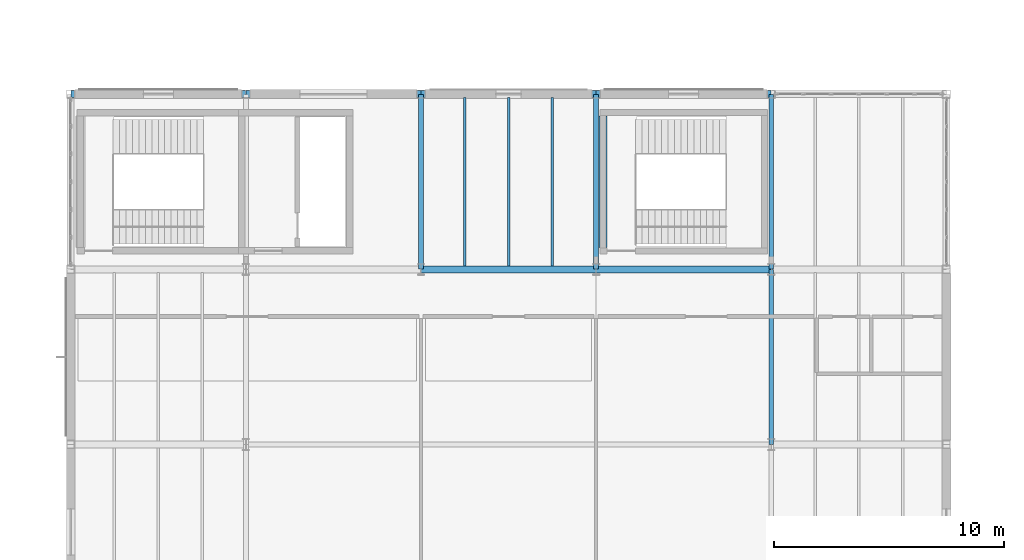
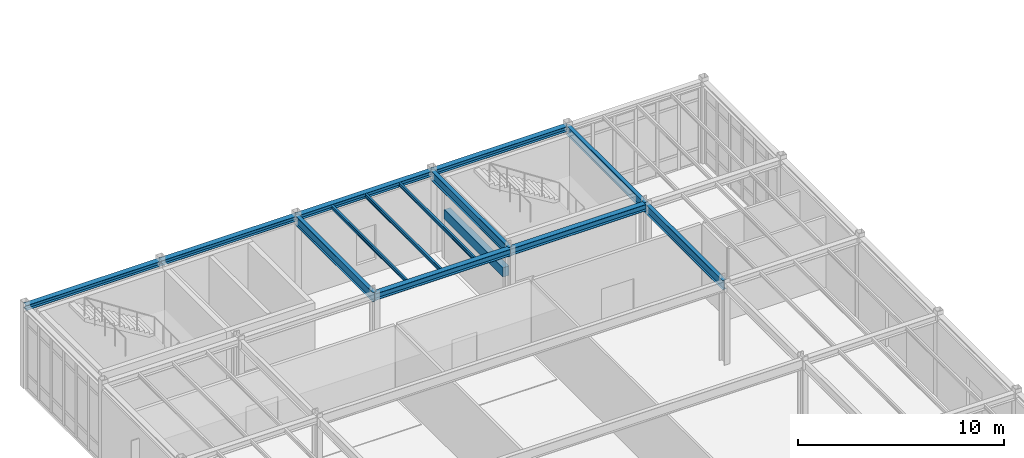
# One storey, part 53 of 109: 14 beams.
"""IFC4 building model written with IfcOpenShell, lengths in metres."""

import ifcopenshell
import ifcopenshell.guid

model = None  # the IFC model being written
_history = None  # IfcOwnerHistory: only IFC2X3 demands one
_inside = {}  # id of a spatial element -> (the spatial element, [elements in it])
_under = {}  # id of a project, library or spatial element -> (it, [spatial elements below it])
_declared = {}  # id of a project -> (the project, [libraries it declares])
_typed = {}  # id of a type object -> (the type object, [elements of that type])
_made_of = {}  # id of a material, layer set ... -> (it, [elements and type objects made of it])


def new_model(schema):
    """Start an empty IFC model of exactly this schema.

    Asked for "IFC4X3", IfcOpenShell would pick the latest addendum, in which some entities
    have other attributes; the version numbers below select the first issue.
    IFC2X3 requires an IfcOwnerHistory on every rooted entity: one is made here for all.
    """
    global model, _history
    if schema == "IFC4X3":
        model = ifcopenshell.file(schema_version=(4, 3, 0, 0))
    else:
        model = ifcopenshell.file(schema=schema)
    _inside.clear()
    _under.clear()
    _declared.clear()
    _typed.clear()
    _made_of.clear()
    _history = None
    if model.schema == "IFC2X3":
        org = make("IfcOrganization", Name="unknown")
        user = make(
            "IfcPersonAndOrganization",
            ThePerson=make("IfcPerson", FamilyName="unknown"),
            TheOrganization=org,
        )
        app = make(
            "IfcApplication",
            ApplicationDeveloper=org,
            Version="unknown",
            ApplicationFullName="unknown",
            ApplicationIdentifier="unknown",
        )
        _history = make(
            "IfcOwnerHistory",
            OwningUser=user,
            OwningApplication=app,
            ChangeAction="ADDED",
            CreationDate=0,
        )
    return model


def make(cls, **values):
    """One entity of the class cls with the attributes given. An attribute that is None is left unset."""
    return model.create_entity(
        cls, **{name: value for name, value in values.items() if value is not None}
    )


def rooted(cls, **values):
    """An entity with a GlobalId (a new one), such as an element, a storey or a relation."""
    return make(cls, GlobalId=ifcopenshell.guid.new(), OwnerHistory=_history, **values)


def si_unit(unit_type, name, prefix=None):
    """IfcSIUnit, for example si_unit("LENGTHUNIT", "METRE", prefix="MILLI")."""
    return make("IfcSIUnit", UnitType=unit_type, Prefix=prefix, Name=name)


def assignment(units):
    """IfcUnitAssignment: the units of a project."""
    return None if units is None else make("IfcUnitAssignment", Units=units)


def point(xyz):
    """IfcCartesianPoint."""
    return None if xyz is None else make("IfcCartesianPoint", Coordinates=xyz)


def direction(xyz):
    """IfcDirection."""
    return None if xyz is None else make("IfcDirection", DirectionRatios=xyz)


def frame(location, z_axis=None, x_axis=None):
    """IfcAxis2Placement3D, a coordinate frame: its origin and axes. An axis left out is left unset."""
    return make(
        "IfcAxis2Placement3D",
        Location=point(location),
        Axis=direction(z_axis),
        RefDirection=direction(x_axis),
    )


def frame_2d(location, x_axis=None):
    """IfcAxis2Placement2D, a coordinate frame in the plane: its origin and x axis."""
    return make(
        "IfcAxis2Placement2D", Location=point(location), RefDirection=direction(x_axis)
    )


def origin():
    """The frame at (0, 0, 0) with its axes left unset."""
    return frame((0.0, 0.0, 0.0))


def origin_2d():
    """The frame at (0, 0) in the plane with its x axis left unset."""
    return frame_2d((0.0, 0.0))


def place(relative_to, where):
    """IfcLocalPlacement: puts the frame where relative to a parent placement (None: the world)."""
    return make(
        "IfcLocalPlacement", PlacementRelTo=relative_to, RelativePlacement=where
    )


def context(
    kind, dimensions, precision=None, world=None, true_north=None, identifier=None
):
    """IfcGeometricRepresentationContext, for example the 3D "Model" context."""
    return make(
        "IfcGeometricRepresentationContext",
        ContextIdentifier=identifier,
        ContextType=kind,
        CoordinateSpaceDimension=dimensions,
        Precision=precision,
        WorldCoordinateSystem=world,
        TrueNorth=true_north,
    )


def subcontext(parent, identifier, kind, view, scale=None):
    """IfcGeometricRepresentationSubContext, for example "Body" below "Model"."""
    return make(
        "IfcGeometricRepresentationSubContext",
        ContextIdentifier=identifier,
        ContextType=kind,
        ParentContext=parent,
        TargetScale=scale,
        TargetView=view,
    )


def project(units=None, contexts=None):
    """IfcProject with its units and contexts."""
    return rooted(
        "IfcProject",
        Name="project",
        RepresentationContexts=contexts,
        UnitsInContext=assignment(units),
    )


def spatial(cls, under=None, at=None, **own):
    """A site, building, storey or space (cls), placed at a placement, below another one or the project."""
    s = rooted(cls, ObjectPlacement=at, **own)
    if under is not None:
        _under.setdefault(under.id(), (under, []))[1].append(s)
    return s


def profile(cls, at=None, kind="AREA", **sizes):
    """A parametric profile (cls). Its sizes go by their IFC names, for example OverallWidth=200.0."""
    return make(cls, ProfileType=kind, Position=at, **sizes)


def rectangle(**sizes):
    """IfcRectangleProfileDef."""
    return profile("IfcRectangleProfileDef", **sizes)


def i_section(**sizes):
    """IfcIShapeProfileDef."""
    return profile("IfcIShapeProfileDef", **sizes)


def extrude(swept, where, along, depth):
    """IfcExtrudedAreaSolid: the profile swept, set in the frame where, extruded along a direction by depth."""
    return make(
        "IfcExtrudedAreaSolid",
        SweptArea=swept,
        Position=where,
        ExtrudedDirection=direction(along),
        Depth=depth,
    )


def shape(context_of_items, identifier, shape_type, items):
    """IfcShapeRepresentation: the items that make up one representation, for example the "Body"."""
    return make(
        "IfcShapeRepresentation",
        ContextOfItems=context_of_items,
        RepresentationIdentifier=identifier,
        RepresentationType=shape_type,
        Items=items,
    )


def material(Name=None, Category=None):
    """IfcMaterial."""
    return make("IfcMaterial", Name=Name, Category=Category)


def material_profile(
    of_material, cross_section, Name=None, Category=None, Priority=None
):
    """IfcMaterialProfile: a cross section and its material."""
    return make(
        "IfcMaterialProfile",
        Name=Name,
        Material=of_material,
        Profile=cross_section,
        Priority=Priority,
        Category=Category,
    )


def profile_set(profiles, Name=None, composite=None):
    """IfcMaterialProfileSet."""
    return make(
        "IfcMaterialProfileSet",
        Name=Name,
        MaterialProfiles=profiles,
        CompositeProfile=composite,
    )


def made_of(thing, what):
    """Note that an element or type object is made of a material, layer set ...; save() writes the relation."""
    if what is not None:
        _made_of.setdefault(what.id(), (what, []))[1].append(thing)
    return thing


def type_object(cls, material=None, **own):
    """A type object (cls), such as IfcWallType, which elements share."""
    return made_of(rooted(cls, **own), material)


def element(
    cls,
    number,
    at=None,
    inside=None,
    cuts=None,
    type_object=None,
    material=None,
    context=None,
    identifier="Body",
    shape_type=None,
    held_by="IfcProductDefinitionShape",
    body=None,
    shapes=None,
    **own,
):
    """One element of the class cls, such as IfcWall. Its Tag is "e" and its number.

    at: its placement. inside: the storey or other place that contains it. cuts: it is an
    opening in that element (IfcRelVoidsElement). A single representation is given by context,
    identifier, shape_type and body (its items); several are given by shapes. held_by: the class
    of the entity that holds the representations. save() writes the other relations.
    """
    e = rooted(cls, Tag="e%d" % number, ObjectPlacement=at, **own)
    if body is not None:
        shapes = [shape(context, identifier, shape_type, body)]
    if shapes is not None:
        e.Representation = make(held_by, Representations=shapes)
    if inside is not None:
        _inside.setdefault(inside.id(), (inside, []))[1].append(e)
    if cuts is not None:
        rooted(
            "IfcRelVoidsElement", RelatingBuildingElement=cuts, RelatedOpeningElement=e
        )
    if type_object is not None:
        _typed.setdefault(type_object.id(), (type_object, []))[1].append(e)
    return made_of(e, material)


def aggregate(whole, parts):
    """IfcRelAggregates: a whole, such as a stair, and the parts it consists of."""
    return rooted("IfcRelAggregates", RelatingObject=whole, RelatedObjects=parts)


def save(model, path):
    """Write the relations noted so far, then the file.

    IfcRelAggregates (storeys below a building ...), IfcRelContainedInSpatialStructure (elements
    in a storey), IfcRelDefinesByType, IfcRelAssociatesMaterial and IfcRelDeclares: one each for
    every whole, place, type object, material and project.
    """
    for whole, parts in _under.values():
        aggregate(whole, parts)
    for where, things in _inside.values():
        rooted(
            "IfcRelContainedInSpatialStructure",
            RelatedElements=things,
            RelatingStructure=where,
        )
    for kind, things in _typed.values():
        rooted("IfcRelDefinesByType", RelatedObjects=things, RelatingType=kind)
    for what, things in _made_of.values():
        rooted("IfcRelAssociatesMaterial", RelatedObjects=things, RelatingMaterial=what)
    for by, libraries in _declared.values():
        rooted("IfcRelDeclares", RelatingContext=by, RelatedDefinitions=libraries)
    model.write(path)


model = new_model("IFC4")

# Units and contexts
model_context = context("Model", 3, precision=1e-05, world=origin(), true_north=direction((0.0, 1.0)))
body_context = subcontext(model_context, "Body", "Model", "MODEL_VIEW")
ifc_project = project(units=[si_unit("LENGTHUNIT", "METRE"), si_unit("AREAUNIT", "SQUARE_METRE"), si_unit("VOLUMEUNIT", "CUBIC_METRE"), si_unit("PLANEANGLEUNIT", "RADIAN"), si_unit("MASSUNIT", "GRAM", prefix="KILO")], contexts=[model_context])

# Site, building, storey
site_placement = place(None, origin())
site = spatial("IfcSite", under=ifc_project, at=site_placement, CompositionType="ELEMENT")
building_placement = place(site_placement, origin())
building = spatial("IfcBuilding", under=site, at=building_placement, Name="Montecoro Central Library", CompositionType="ELEMENT")
storey_placement = place(building_placement, origin())
storey = spatial("IfcBuildingStorey", under=building, at=storey_placement, Name="L00", CompositionType="ELEMENT", Elevation=0.0)

# Beams
ifc_material_1 = material(Name="Steel S355", Category="steel")
ifc_material_profile_1 = material_profile(ifc_material_1, i_section(OverallWidth=0.300048828125, OverallDepth=0.389892578125, WebThickness=0.010986328125, FlangeThickness=0.01904296875, at=origin_2d()), Name="HEA 400")
ifc_profile_set_1 = profile_set([ifc_material_profile_1], Name="Steel S355")
beam_type_1 = type_object("IfcBeamType", Name="BM-G-HEA400", PredefinedType="USERDEFINED", material=ifc_profile_set_1)
beam_1_placement = place(storey_placement, frame((20.205078125, 103.800048828125, 4.64990234375), z_axis=(1.0, 0.0, 0.0), x_axis=(0.0, 1.0, 0.0)))
element("IfcBeam", 1, at=beam_1_placement, inside=storey, type_object=beam_type_1, Name="V4-L00-BX-34-P", ObjectType="GIRDER", PredefinedType="USERDEFINED", context=body_context, shape_type="SweptSolid", body=[
    extrude(i_section(OverallWidth=0.300048828125, OverallDepth=0.389892578125, WebThickness=0.010986328125, FlangeThickness=0.01904296875, at=origin_2d()), origin(), (0.0, 0.0, 1.0), 7.58984375),
])
beam_2_placement = place(storey_placement, frame((27.804931640625, 103.800048828125, 4.64990234375), z_axis=(1.0, 0.0, 0.0), x_axis=(0.0, 1.0, 0.0)))
element("IfcBeam", 2, at=beam_2_placement, inside=storey, type_object=beam_type_1, Name="V4-L00-BX-45-P", ObjectType="GIRDER", PredefinedType="USERDEFINED", context=body_context, shape_type="SweptSolid", body=[
    extrude(i_section(OverallWidth=0.300048828125, OverallDepth=0.389892578125, WebThickness=0.010986328125, FlangeThickness=0.01904296875, at=origin_2d()), origin(), (0.0, 0.0, 1.0), 7.590087890625),
])
ifc_material_2 = material(Name="Steel S355J2", Category="steel")
ifc_material_profile_2 = material_profile(ifc_material_2, i_section(OverallWidth=0.2099609375, OverallDepth=0.550048828125, WebThickness=0.010986328125, FlangeThickness=0.01708984375, at=origin_2d()), Name="IPE 550")
ifc_profile_set_2 = profile_set([ifc_material_profile_2], Name="Steel S355J2")
beam_type_2 = type_object("IfcBeamType", Name="BM-G-IPE550", PredefinedType="USERDEFINED", material=ifc_profile_set_2)
for number, where, z_axis, x_axis, name in (
    (3, (20.199951171875, 103.804931640625, 4.570068359375), (0.0, 1.0, 0.0), (-1.0, 0.0, 0.0), "V4-L00-BY-3-PQ"),
    (4, (27.800048828125, 103.804931640625, 4.570068359375), (0.0, 1.0, 0.0), (-1.0, 0.0, 0.0), "V4-L00-BY-4-PQ"),
):
    element("IfcBeam", number, at=place(storey_placement, frame(where, z_axis=z_axis, x_axis=x_axis)), inside=storey, type_object=beam_type_2, Name=name, ObjectType="GIRDER", PredefinedType="USERDEFINED", context=body_context, shape_type="SweptSolid", body=[
        extrude(i_section(OverallWidth=0.2099609375, OverallDepth=0.550048828125, WebThickness=0.010986328125, FlangeThickness=0.01708984375, at=origin_2d()), origin(), (0.0, 0.0, 1.0), 7.590087890625),
    ])
beam_3_placement = place(storey_placement, frame((35.39990234375, 96.205078125, 4.570068359375), z_axis=(0.0, 1.0, 0.0), x_axis=(-1.0, 0.0, 0.0)))
element("IfcBeam", 5, at=beam_3_placement, inside=storey, type_object=beam_type_2, Name="V4-L00-BY-5-NP", ObjectType="GIRDER", PredefinedType="USERDEFINED", context=body_context, shape_type="SweptSolid", body=[
    extrude(i_section(OverallWidth=0.2099609375, OverallDepth=0.550048828125, WebThickness=0.010986328125, FlangeThickness=0.01708984375, at=origin_2d()), origin(), (0.0, 0.0, 1.0), 7.58984375),
])
beam_4_placement = place(storey_placement, frame((35.39990234375, 103.804931640625, 4.570068359375), z_axis=(0.0, 1.0, 0.0), x_axis=(-1.0, 0.0, 0.0)))
element("IfcBeam", 6, at=beam_4_placement, inside=storey, type_object=beam_type_2, Name="V4-L00-BY-5-PQ", ObjectType="GIRDER", PredefinedType="USERDEFINED", context=body_context, shape_type="SweptSolid", body=[
    extrude(i_section(OverallWidth=0.2099609375, OverallDepth=0.550048828125, WebThickness=0.010986328125, FlangeThickness=0.01708984375, at=origin_2d()), origin(), (0.0, 0.0, 1.0), 7.590087890625),
])
ifc_material_profile_3 = material_profile(ifc_material_1, i_section(OverallWidth=0.110107421875, OverallDepth=0.219970703125, WebThickness=0.005859375, FlangeThickness=0.00927734375, at=origin_2d()), Name="IPE 220")
ifc_profile_set_3 = profile_set([ifc_material_profile_3], Name="Steel S355")
beam_type_3 = type_object("IfcBeamType", Name="BM-J-IPE220", PredefinedType="JOIST", material=ifc_profile_set_3)
for number, where, z_axis, x_axis, name in (
    (7, (22.10009765625, 103.947021484375, 4.735107421875), (0.0, 1.0, 0.0), (-1.0, 0.0, 0.0), "V4-L00-JS-34-PQ-1"),
    (8, (24.0, 103.947021484375, 4.735107421875), (0.0, 1.0, 0.0), (-1.0, 0.0, 0.0), "V4-L00-JS-34-PQ-2"),
    (9, (25.89990234375, 103.947021484375, 4.735107421875), (0.0, 1.0, 0.0), (-1.0, 0.0, 0.0), "V4-L00-JS-34-PQ-3"),
):
    element("IfcBeam", number, at=place(storey_placement, frame(where, z_axis=z_axis, x_axis=x_axis)), inside=storey, type_object=beam_type_3, Name=name, PredefinedType="JOIST", context=body_context, shape_type="SweptSolid", body=[
        extrude(i_section(OverallWidth=0.110107421875, OverallDepth=0.219970703125, WebThickness=0.005859375, FlangeThickness=0.00927734375, at=origin_2d()), origin(), (0.0, 0.0, 1.0), 7.305908203125),
    ])
ifc_material_3 = material(Name="Concrete C35/45", Category="concrete")
ifc_material_profile_4 = material_profile(ifc_material_3, rectangle(XDim=0.35009765625, YDim=0.550048828125, at=origin_2d()), Name="RC LNT 550x350")
ifc_profile_set_4 = profile_set([ifc_material_profile_4], Name="Concrete C35/45")
beam_type_4 = type_object("IfcBeamType", Name="BM-LN-RC04", PredefinedType="LINTEL", material=ifc_profile_set_4)
beam_5_placement = place(storey_placement, frame((28.10009765625, 104.75, 2.72509765625), z_axis=(0.0, 1.0, 0.0), x_axis=(-1.0, 0.0, 0.0)))
element("IfcBeam", 10, at=beam_5_placement, inside=storey, type_object=beam_type_4, Name="C9-L00-LNT", PredefinedType="LINTEL", context=body_context, shape_type="SweptSolid", body=[
    extrude(rectangle(XDim=0.35009765625, YDim=0.550048828125, at=origin_2d()), origin(), (0.0, 0.0, 1.0), 5.699951171875),
])
ifc_material_profile_5 = material_profile(ifc_material_1, i_section(OverallWidth=0.300048828125, OverallDepth=0.2900390625, WebThickness=0.008544921875, FlangeThickness=0.013916015625, at=origin_2d()), Name="HEA 300")
ifc_profile_set_5 = profile_set([ifc_material_profile_5], Name="Steel S355")
beam_type_5 = type_object("IfcBeamType", Name="BM-SP-HEA300", PredefinedType="SPANDREL", material=ifc_profile_set_5)
for number, where, z_axis, x_axis, name in (
    (11, (5.0048828125, 111.39990234375, 4.699951171875), (1.0, 0.0, 0.0), (0.0, 1.0, 0.0), "V4-L00-BX-12-Q"),
    (12, (12.60498046875, 111.39990234375, 4.699951171875), (1.0, 0.0, 0.0), (0.0, 1.0, 0.0), "V4-L00-BX-23-Q"),
):
    element("IfcBeam", number, at=place(storey_placement, frame(where, z_axis=z_axis, x_axis=x_axis)), inside=storey, type_object=beam_type_5, Name=name, PredefinedType="SPANDREL", context=body_context, shape_type="SweptSolid", body=[
        extrude(i_section(OverallWidth=0.300048828125, OverallDepth=0.2900390625, WebThickness=0.008544921875, FlangeThickness=0.013916015625, at=origin_2d()), origin(), (0.0, 0.0, 1.0), 7.590087890625),
    ])
beam_6_placement = place(storey_placement, frame((20.205078125, 111.39990234375, 4.699951171875), z_axis=(1.0, 0.0, 0.0), x_axis=(0.0, 1.0, 0.0)))
element("IfcBeam", 13, at=beam_6_placement, inside=storey, type_object=beam_type_5, Name="V4-L00-BX-34-Q", PredefinedType="SPANDREL", context=body_context, shape_type="SweptSolid", body=[
    extrude(i_section(OverallWidth=0.300048828125, OverallDepth=0.2900390625, WebThickness=0.008544921875, FlangeThickness=0.013916015625, at=origin_2d()), origin(), (0.0, 0.0, 1.0), 7.58984375),
])
beam_7_placement = place(storey_placement, frame((27.804931640625, 111.39990234375, 4.699951171875), z_axis=(1.0, 0.0, 0.0), x_axis=(0.0, 1.0, 0.0)))
element("IfcBeam", 14, at=beam_7_placement, inside=storey, type_object=beam_type_5, Name="V4-L00-BX-45-Q", PredefinedType="SPANDREL", context=body_context, shape_type="SweptSolid", body=[
    extrude(i_section(OverallWidth=0.300048828125, OverallDepth=0.2900390625, WebThickness=0.008544921875, FlangeThickness=0.013916015625, at=origin_2d()), origin(), (0.0, 0.0, 1.0), 7.590087890625),
])

save(model, "model.ifc")
